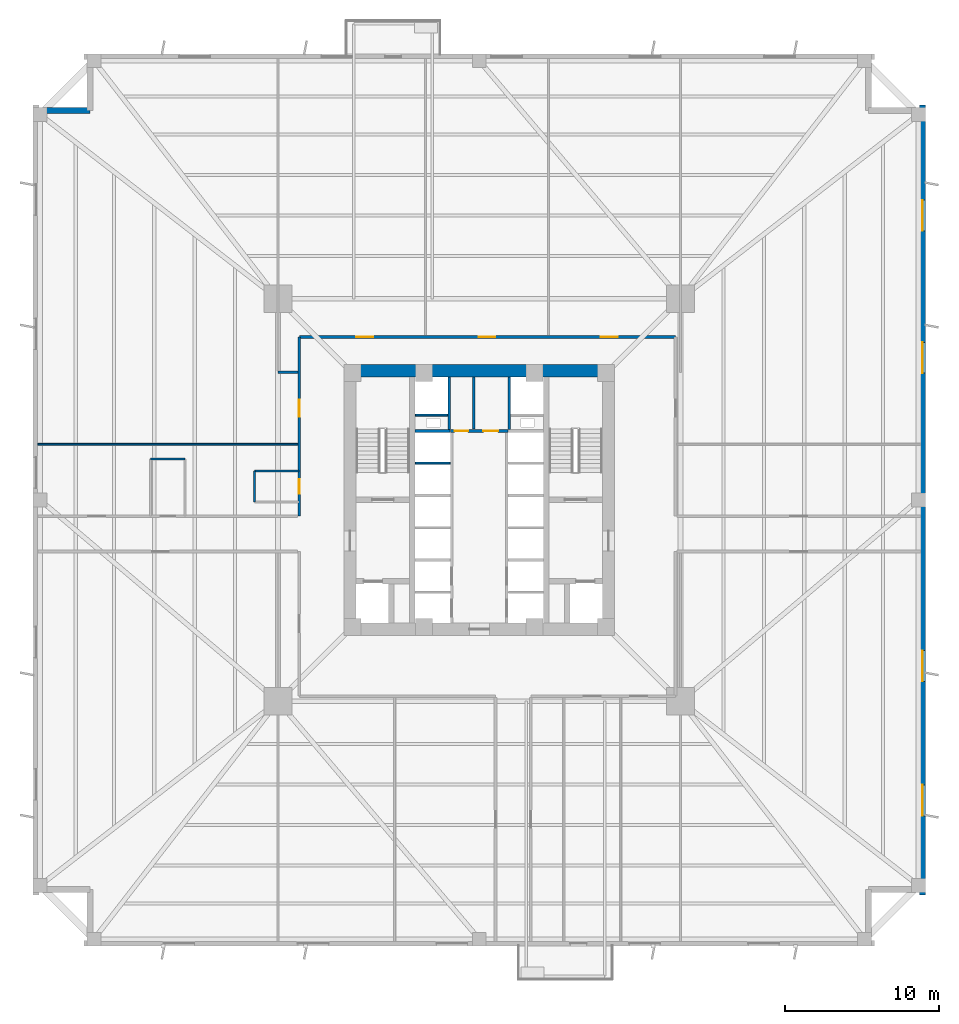
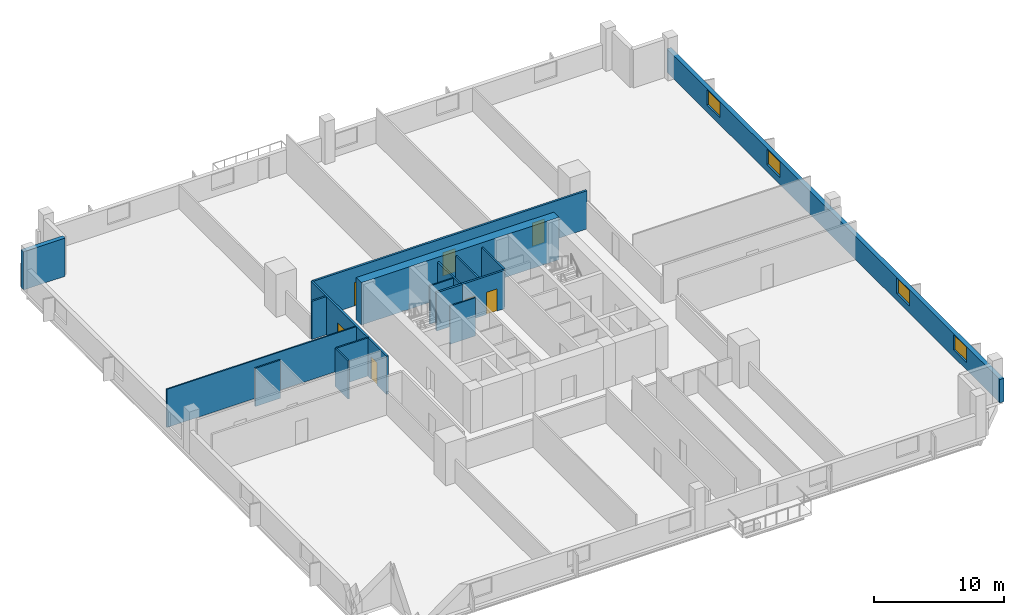
# One storey, part 4 of 8: 17 walls, 7 doors, 4 windows, 11 openings.
"""IFC4 building model written with IfcOpenShell, lengths in metres."""

from ifc_helpers import new_model, si_unit, direction, frame, frame_2d, origin, place, context, subcontext, project, spatial, rectangle, extrude, source, transform, mapped, material, layer, layer_set, type_object, element, fill, save


model = new_model("IFC4")

# Units and contexts
model_context = context("Model", 3, precision=1e-05, world=origin(), true_north=direction((0.0, 1.0)))
body_context = subcontext(model_context, "Body", "Model", "MODEL_VIEW")
ifc_project = project(units=[si_unit("LENGTHUNIT", "METRE"), si_unit("AREAUNIT", "SQUARE_METRE"), si_unit("VOLUMEUNIT", "CUBIC_METRE"), si_unit("PLANEANGLEUNIT", "RADIAN"), si_unit("MASSUNIT", "GRAM", prefix="KILO"), si_unit("THERMODYNAMICTEMPERATUREUNIT", "KELVIN")], contexts=[model_context])

# Site, building, storey
site_placement = place(None, origin())
site = spatial("IfcSite", under=ifc_project, at=site_placement, CompositionType="ELEMENT")
building_placement = place(site_placement, origin())
building = spatial("IfcBuilding", under=site, at=building_placement, Name="Kosmvard Interchange Tower", CompositionType="ELEMENT")
storey_placement = place(building_placement, frame((0.0, 0.0, 74.0)))
storey = spatial("IfcBuildingStorey", under=building, at=storey_placement, Name="L17", CompositionType="ELEMENT", Elevation=74.0)

# Walls
ifc_material_1 = material(Name="Acoustic gypsum partition system")
ifc_layer_1 = layer(ifc_material_1, 0.14990234375, Name="Acoustic gypsum partition system")
ifc_layer_set_1 = layer_set([ifc_layer_1], Name="Acoustic gypsum partition system")
wall_type_1 = type_object("IfcWallType", Name="Acoustic Suite & Meeting Partition 150", PredefinedType="PARTITIONING", material=ifc_layer_set_1)
wall_1_placement = place(storey_placement, frame((-11.794921875, 8.300048828125, 0.0), z_axis=(0.0, 0.0, 1.0), x_axis=(-1.0, 0.0, 0.0)))
element("IfcWall", 1, at=wall_1_placement, inside=storey, type_object=wall_type_1, Name="L17 Room Partition 01.1", PredefinedType="PARTITIONING", context=body_context, shape_type="SweptSolid", body=[
    extrude(rectangle(XDim=1.2861328125, YDim=0.14990234375, at=frame_2d((0.64306640625, 0.0))), origin(), (0.0, 0.0, 1.0), 3.60009765625),
])
ifc_material_2 = material(Name="Fire-rated gypsum partition system")
ifc_layer_2 = layer(ifc_material_2, 0.159912109375, Name="Fire-rated gypsum partition system")
ifc_layer_set_2 = layer_set([ifc_layer_2], Name="Fire-rated gypsum partition system")
wall_type_2 = type_object("IfcWallType", Name="Core Compartment & Shuttle Lobby Partition 160", PredefinedType="PARTITIONING", material=ifc_layer_set_2)
for number, where, z_axis, x_axis, name in (
    (2, (-1.9599609375, 4.580078125, 0.0), (0.0, 0.0, 1.0), (0.0, 1.0, 0.0), "L17 North Core West Wall"),
    (3, (1.9599609375, 4.580078125, 0.0), (0.0, 0.0, 1.0), (0.0, 1.0, 0.0), "L17 North Core East Wall"),
):
    element("IfcWall", number, at=place(storey_placement, frame(where, z_axis=z_axis, x_axis=x_axis)), inside=storey, type_object=wall_type_2, Name=name, PredefinedType="PARTITIONING", context=body_context, shape_type="SweptSolid", body=[
        extrude(rectangle(XDim=3.39990234375, YDim=0.159912109375, at=frame_2d((1.699951171875, 0.0))), origin(), (0.0, 0.0, 1.0), 3.60009765625),
    ])
ifc_material_3 = material(Name="Concrete blockwork masonry", Category="masonry")
ifc_layer_3 = layer(ifc_material_3, 0.159912109375, Name="Concrete blockwork masonry")
ifc_layer_set_3 = layer_set([ifc_layer_3], Name="Concrete blockwork masonry")
wall_type_3 = type_object("IfcWallType", Name="Core Enclosure Split Wall 160", PredefinedType="PARTITIONING", material=ifc_layer_set_3)
wall_2_placement = place(storey_placement, frame((-0.35009765625, 4.60009765625, 0.0), z_axis=(0.0, 0.0, 1.0), x_axis=(0.0, 1.0, 0.0)))
element("IfcWall", 4, at=wall_2_placement, inside=storey, type_object=wall_type_3, Name="L17 Core K2 Split Wall", PredefinedType="PARTITIONING", context=body_context, shape_type="SweptSolid", body=[
    extrude(rectangle(XDim=3.3798828125, YDim=0.159912109375, at=frame_2d((1.68994140625, 0.0))), origin(), (0.0, 0.0, 1.0), 3.60009765625),
])

# Wall, openings, doors
ifc_layer_4 = layer(ifc_material_2, 0.179931640625, Name="Fire-rated gypsum partition system")
ifc_layer_set_4 = layer_set([ifc_layer_4], Name="Fire-rated gypsum partition system")
wall_type_4 = type_object("IfcWallType", Name="Corridor & Hotel Compartment Partition 180", PredefinedType="PARTITIONING", material=ifc_layer_set_4)
wall_3_placement = place(storey_placement, frame((-1.8798828125, 4.489990234375, 0.0), z_axis=(0.0, 0.0, 1.0), x_axis=(1.0, 0.0, 0.0)))
wall_3 = element("IfcWall", 5, at=wall_3_placement, inside=storey, type_object=wall_type_4, Name="L17 Lift Lobby North Partition", PredefinedType="PARTITIONING", context=body_context, shape_type="SweptSolid", body=[
    extrude(rectangle(XDim=3.759765625, YDim=0.179931640625, at=frame_2d((1.8798828125, 0.0))), origin(), (0.0, 0.0, 1.0), 3.60009765625),
])
opening_1_placement = place(wall_3_placement, frame((0.280029296875, 0.0, 0.0)))
opening_1 = element("IfcOpeningElement", 6, at=opening_1_placement, cuts=wall_3, Name="Opening L17-KD1", PredefinedType="OPENING", context=body_context, shape_type="SweptSolid", body=[
    extrude(rectangle(XDim=0.8798828125, YDim=2.10009765625, at=frame_2d((0.43994140625, 1.050048828125))), frame((0.0, 0.10009765625, 0.0), z_axis=(0.0, -1.0, 0.0), x_axis=(1.0, 0.0, 0.0)), (0.0, 0.0, 1.0), 0.199951171875),
])
opening_2_placement = place(wall_3_placement, frame((2.14990234375, 0.0, 0.0)))
opening_2 = element("IfcOpeningElement", 7, at=opening_2_placement, cuts=wall_3, Name="Opening L17-KD2", PredefinedType="OPENING", context=body_context, shape_type="SweptSolid", body=[
    extrude(rectangle(XDim=0.949951171875, YDim=2.10009765625, at=frame_2d((0.47509765625, 1.050048828125))), frame((0.0, 0.10009765625, 0.0), z_axis=(0.0, -1.0, 0.0), x_axis=(1.0, 0.0, 0.0)), (0.0, 0.0, 1.0), 0.199951171875),
])
ifc_material_4 = material(Name="Painted fire-rated timber leaf", Category="wood")
door_type_1 = type_object("IfcDoorType", Name="Core Service Fire Door 950x2100 EI30", OperationType="NOTDEFINED", PredefinedType="DOOR", material=ifc_material_4)
shared_shape_1 = source(origin(), body_context, "Body", "SweptSolid", [
    extrude(rectangle(XDim=0.949951171875, YDim=2.10009765625, at=frame_2d((0.47509765625, 1.050048828125))), frame((0.0, 0.02490234375, 0.0), z_axis=(0.0, -1.0, 0.0), x_axis=(1.0, 0.0, 0.0)), (0.0, 0.0, 1.0), 0.050048828125),
])
door_1_placement = place(opening_2_placement, origin())
door_1 = element("IfcDoor", 8, at=door_1_placement, inside=storey, type_object=door_type_1, Name="L17 Core Tea Pantry Door", OperationType="SINGLE_SWING_RIGHT", OverallHeight=2.10009765625, OverallWidth=0.949951171875, PredefinedType="DOOR", context=body_context, shape_type="MappedRepresentation", body=[
    mapped(shared_shape_1, transform((0.0, 0.0, 0.0), scale=1.0)),
])
fill(opening_2, door_1)
door_type_2 = type_object("IfcDoorType", Name="Core Cupboard Fire Door 880x2100 EI30", OperationType="NOTDEFINED", PredefinedType="DOOR", material=ifc_material_4)
shared_shape_2 = source(origin(), body_context, "Body", "SweptSolid", [
    extrude(rectangle(XDim=0.8798828125, YDim=2.10009765625, at=frame_2d((0.43994140625, 1.050048828125))), frame((0.0, 0.02490234375, 0.0), z_axis=(0.0, -1.0, 0.0), x_axis=(1.0, 0.0, 0.0)), (0.0, 0.0, 1.0), 0.050048828125),
])
door_2_placement = place(opening_1_placement, origin())
door_2 = element("IfcDoor", 9, at=door_2_placement, inside=storey, type_object=door_type_2, Name="L17 Core Cleaner Cupboard Door", OperationType="SINGLE_SWING_LEFT", OverallHeight=2.10009765625, OverallWidth=0.8798828125, PredefinedType="DOOR", context=body_context, shape_type="MappedRepresentation", body=[
    mapped(shared_shape_2, transform((0.0, 0.0, 0.0), scale=1.0)),
])
fill(opening_1, door_2)

wall_4_placement = place(storey_placement, frame((-11.699951171875, 10.60009765625, 0.0), z_axis=(0.0, 0.0, 1.0), x_axis=(1.0, 0.0, 0.0)))
wall_4 = element("IfcWall", 10, at=wall_4_placement, inside=storey, type_object=wall_type_4, Name="L17 Corridor Wall CN", PredefinedType="PARTITIONING", context=body_context, shape_type="SweptSolid", body=[
    extrude(rectangle(XDim=24.449951171875, YDim=0.179931640625, at=frame_2d((12.22509765625, 0.0))), origin(), (0.0, 0.0, 1.0), 3.60009765625),
])
opening_3_placement = place(wall_4_placement, frame((3.71435546875, 0.0, 0.0)))
opening_3 = element("IfcOpeningElement", 11, at=opening_3_placement, cuts=wall_4, Name="Opening L17-D05", PredefinedType="OPENING", context=body_context, shape_type="SweptSolid", body=[
    extrude(rectangle(XDim=1.10009765625, YDim=2.199951171875, at=frame_2d((0.550048828125, 1.10009765625))), frame((0.0, 0.10009765625, 0.0), z_axis=(0.0, -1.0, 0.0), x_axis=(1.0, 0.0, 0.0)), (0.0, 0.0, 1.0), 0.199951171875),
])
opening_4_placement = place(wall_4_placement, frame((11.64990234375, 0.0, 0.0)))
opening_4 = element("IfcOpeningElement", 12, at=opening_4_placement, cuts=wall_4, Name="Opening L17-D06", PredefinedType="OPENING", context=body_context, shape_type="SweptSolid", body=[
    extrude(rectangle(XDim=1.10009765625, YDim=2.199951171875, at=frame_2d((0.550048828125, 1.10009765625))), frame((0.0, 0.10009765625, 0.0), z_axis=(0.0, -1.0, 0.0), x_axis=(1.0, 0.0, 0.0)), (0.0, 0.0, 1.0), 0.199951171875),
])
opening_5_placement = place(wall_4_placement, frame((19.610595703125, 0.0, 0.0)))
opening_5 = element("IfcOpeningElement", 13, at=opening_5_placement, cuts=wall_4, Name="Opening L17-D07", PredefinedType="OPENING", context=body_context, shape_type="SweptSolid", body=[
    extrude(rectangle(XDim=1.10009765625, YDim=2.199951171875, at=frame_2d((0.550048828125, 1.10009765625))), frame((0.0, 0.10009765625, 0.0), z_axis=(0.0, -1.0, 0.0), x_axis=(1.0, 0.0, 0.0)), (0.0, 0.0, 1.0), 0.199951171875),
])
ifc_material_5 = material(Name="Engineered oak fire-rated timber", Category="wood")
door_type_3 = type_object("IfcDoorType", Name="Office Suite Entrance Door 1100x2200 FD30S", OperationType="NOTDEFINED", PredefinedType="DOOR", material=ifc_material_5)
shared_shape_3 = source(origin(), body_context, "Body", "SweptSolid", [
    extrude(rectangle(XDim=1.10009765625, YDim=2.199951171875, at=frame_2d((0.550048828125, 1.10009765625))), frame((0.0, 0.02490234375, 0.0), z_axis=(0.0, -1.0, 0.0), x_axis=(1.0, 0.0, 0.0)), (0.0, 0.0, 1.0), 0.050048828125),
])
door_3_placement = place(opening_3_placement, origin())
door_3 = element("IfcDoor", 14, at=door_3_placement, inside=storey, type_object=door_type_3, Name="L17 Staff Fitness Gym Door", OperationType="SINGLE_SWING_LEFT", OverallHeight=2.199951171875, OverallWidth=1.10009765625, PredefinedType="DOOR", context=body_context, shape_type="MappedRepresentation", body=[
    mapped(shared_shape_3, transform((0.0, 0.0, 0.0), scale=1.0)),
])
fill(opening_3, door_3)
door_4_placement = place(opening_4_placement, origin())
door_4 = element("IfcDoor", 15, at=door_4_placement, inside=storey, type_object=door_type_3, Name="L17 Transit Heritage Library Door", OperationType="SINGLE_SWING_RIGHT", OverallHeight=2.199951171875, OverallWidth=1.10009765625, PredefinedType="DOOR", context=body_context, shape_type="MappedRepresentation", body=[
    mapped(shared_shape_3, transform((0.0, 0.0, 0.0), scale=1.0)),
])
fill(opening_4, door_4)
door_5_placement = place(opening_5_placement, origin())
door_5 = element("IfcDoor", 16, at=door_5_placement, inside=storey, type_object=door_type_3, Name="L17 Staff Bistro Cafe Door", OperationType="SINGLE_SWING_LEFT", OverallHeight=2.199951171875, OverallWidth=1.10009765625, PredefinedType="DOOR", context=body_context, shape_type="MappedRepresentation", body=[
    mapped(shared_shape_3, transform((0.0, 0.0, 0.0), scale=1.0)),
])
fill(opening_5, door_5)

wall_5_placement = place(storey_placement, frame((-11.699951171875, -1.050048828125, 0.0), z_axis=(0.0, 0.0, 1.0), x_axis=(0.0, 1.0, 0.0)))
wall_5 = element("IfcWall", 17, at=wall_5_placement, inside=storey, type_object=wall_type_4, Name="L17 Corridor Wall CWN", PredefinedType="PARTITIONING", context=body_context, shape_type="SweptSolid", body=[
    extrude(rectangle(XDim=11.650146484375, YDim=0.179931640625, at=frame_2d((5.8251953125, 0.0))), origin(), (0.0, 0.0, 1.0), 3.60009765625),
])
opening_6_placement = place(wall_5_placement, frame((1.455078125, 0.0, 0.0)))
opening_6 = element("IfcOpeningElement", 18, at=opening_6_placement, cuts=wall_5, Name="Opening L17-D01", PredefinedType="OPENING", context=body_context, shape_type="SweptSolid", body=[
    extrude(rectangle(XDim=0.949951171875, YDim=2.10009765625, at=frame_2d((0.47509765625, 1.050048828125))), frame((0.0, 0.10009765625, 0.0), z_axis=(0.0, -1.0, 0.0), x_axis=(1.0, 0.0, 0.0)), (0.0, 0.0, 1.0), 0.199951171875),
])
opening_7_placement = place(wall_5_placement, frame((6.46240234375, 0.0, 0.0)))
opening_7 = element("IfcOpeningElement", 19, at=opening_7_placement, cuts=wall_5, Name="Opening L17-D04", PredefinedType="OPENING", context=body_context, shape_type="SweptSolid", body=[
    extrude(rectangle(XDim=1.10009765625, YDim=2.199951171875, at=frame_2d((0.550048828125, 1.10009765625))), frame((0.0, 0.10009765625, 0.0), z_axis=(0.0, -1.0, 0.0), x_axis=(1.0, 0.0, 0.0)), (0.0, 0.0, 1.0), 0.199951171875),
])
ifc_material_6 = material(Name="Laminated moisture-resistant timber", Category="wood")
door_type_4 = type_object("IfcDoorType", Name="Accessible Washroom Door 950x2100", OperationType="NOTDEFINED", PredefinedType="DOOR", material=ifc_material_6)
door_6_placement = place(opening_6_placement, origin())
door_6 = element("IfcDoor", 20, at=door_6_placement, inside=storey, type_object=door_type_4, Name="L17 Accessible Toilet Door", OperationType="SINGLE_SWING_LEFT", OverallHeight=2.10009765625, OverallWidth=0.949951171875, PredefinedType="DOOR", context=body_context, shape_type="MappedRepresentation", body=[
    mapped(shared_shape_1, transform((0.0, 0.0, 0.0), scale=1.0)),
])
fill(opening_6, door_6)
door_7_placement = place(opening_7_placement, origin())
door_7 = element("IfcDoor", 21, at=door_7_placement, inside=storey, type_object=door_type_3, Name="L17 West Health Advisory Office Door", OperationType="SINGLE_SWING_RIGHT", OverallHeight=2.199951171875, OverallWidth=1.10009765625, PredefinedType="DOOR", context=body_context, shape_type="MappedRepresentation", body=[
    mapped(shared_shape_3, transform((0.0, 0.0, 0.0), scale=1.0)),
])
fill(opening_7, door_7)

# Wall
ifc_material_7 = material(Name="Concrete C80/95", Category="concrete")
ifc_layer_5 = layer(ifc_material_7, 0.800048828125, Name="Concrete C80/95")
ifc_layer_set_5 = layer_set([ifc_layer_5], Name="Concrete C80/95")
wall_type_5 = type_object("IfcWallType", Name="Lower Core Shear Wall 800 C80/95", PredefinedType="SHEAR", material=ifc_layer_set_5)
wall_6_placement = place(storey_placement, frame((-8.800048828125, 8.39990234375, 0.0), z_axis=(0.0, 0.0, 1.0), x_axis=(1.0, 0.0, 0.0)))
element("IfcWall", 22, at=wall_6_placement, inside=storey, type_object=wall_type_5, Name="L17 Core Shear Wall CW-N", PredefinedType="SHEAR", context=body_context, shape_type="SweptSolid", body=[
    extrude(rectangle(XDim=17.60009765625, YDim=0.800048828125, at=frame_2d((8.800048828125, 0.0))), origin(), (0.0, 0.0, 1.0), 4.0),
])

# Wall, openings, windows
ifc_material_8 = material(Name="Precast concrete C45/55", Category="concrete")
ifc_layer_6 = layer(ifc_material_8, 0.3798828125, Name="Precast concrete C45/55")
ifc_layer_set_6 = layer_set([ifc_layer_6], Name="Precast concrete C45/55")
wall_type_6 = type_object("IfcWallType", Name="Lower Tower Precast Pier Wall 380 C45/55", PredefinedType="STANDARD", material=ifc_layer_set_6)
wall_7_placement = place(storey_placement, frame((28.81005859375, -25.68994140625, 0.0), z_axis=(0.0, 0.0, 1.0), x_axis=(0.0, 1.0, 0.0)))
wall_7 = element("IfcWall", 23, at=wall_7_placement, inside=storey, type_object=wall_type_6, Name="L17 Precast Facade Wall F-E", PredefinedType="STANDARD", context=body_context, shape_type="SweptSolid", body=[
    extrude(rectangle(XDim=51.3798828125, YDim=0.3798828125, at=frame_2d((25.68994140625, 0.0))), origin(), (0.0, 0.0, 1.0), 2.199951171875),
])
opening_8_placement = place(wall_7_placement, frame((5.16552734375, 0.0, 0.669921875)))
opening_8 = element("IfcOpeningElement", 24, at=opening_8_placement, cuts=wall_7, Name="Opening L17-W06", PredefinedType="OPENING", context=body_context, shape_type="SweptSolid", body=[
    extrude(rectangle(XDim=2.0, YDim=1.449951171875, at=frame_2d((1.0, 0.72509765625))), frame((0.0, 0.199951171875, 0.0), z_axis=(0.0, -1.0, 0.0), x_axis=(1.0, 0.0, 0.0)), (0.0, 0.0, 1.0), 0.39990234375),
])
opening_9_placement = place(wall_7_placement, frame((13.900146484375, 0.0, 0.669921875)))
opening_9 = element("IfcOpeningElement", 25, at=opening_9_placement, cuts=wall_7, Name="Opening L17-W07", PredefinedType="OPENING", context=body_context, shape_type="SweptSolid", body=[
    extrude(rectangle(XDim=2.0, YDim=1.449951171875, at=frame_2d((1.0, 0.72509765625))), frame((0.0, 0.199951171875, 0.0), z_axis=(0.0, -1.0, 0.0), x_axis=(1.0, 0.0, 0.0)), (0.0, 0.0, 1.0), 0.39990234375),
])
opening_10_placement = place(wall_7_placement, frame((33.9384765625, 0.0, 0.669921875)))
opening_10 = element("IfcOpeningElement", 26, at=opening_10_placement, cuts=wall_7, Name="Opening L17-W08", PredefinedType="OPENING", context=body_context, shape_type="SweptSolid", body=[
    extrude(rectangle(XDim=2.0, YDim=1.449951171875, at=frame_2d((1.0, 0.72509765625))), frame((0.0, 0.199951171875, 0.0), z_axis=(0.0, -1.0, 0.0), x_axis=(1.0, 0.0, 0.0)), (0.0, 0.0, 1.0), 0.39990234375),
])
opening_11_placement = place(wall_7_placement, frame((43.186767578125, 0.0, 0.669921875)))
opening_11 = element("IfcOpeningElement", 27, at=opening_11_placement, cuts=wall_7, Name="Opening L17-W09", PredefinedType="OPENING", context=body_context, shape_type="SweptSolid", body=[
    extrude(rectangle(XDim=2.0, YDim=1.449951171875, at=frame_2d((1.0, 0.72509765625))), frame((0.0, 0.199951171875, 0.0), z_axis=(0.0, -1.0, 0.0), x_axis=(1.0, 0.0, 0.0)), (0.0, 0.0, 1.0), 0.39990234375),
])
ifc_material_9 = material(Name="Low-E solar-control double glazing", Category="glass")
window_type = type_object("IfcWindowType", Name="Transfer Zone Punched Window 2000x1450", PartitioningType="SINGLE_PANEL", PredefinedType="WINDOW", material=ifc_material_9)
shared_shape_4 = source(origin(), body_context, "Body", "SweptSolid", [
    extrude(rectangle(XDim=2.0, YDim=1.449951171875, at=frame_2d((1.0, 0.72509765625))), frame((0.0, 0.030029296875, 0.0), z_axis=(0.0, -1.0, 0.0), x_axis=(1.0, 0.0, 0.0)), (0.0, 0.0, 1.0), 0.06005859375),
])
window_1_placement = place(opening_8_placement, origin())
window_1 = element("IfcWindow", 28, at=window_1_placement, inside=storey, type_object=window_type, Name="L17 Facade Punched Window 06", OverallHeight=1.449951171875, OverallWidth=2.0, PartitioningType="SINGLE_PANEL", PredefinedType="WINDOW", context=body_context, shape_type="MappedRepresentation", body=[
    mapped(shared_shape_4, transform((0.0, 0.0, 0.0), scale=1.0)),
])
fill(opening_8, window_1)
window_2_placement = place(opening_9_placement, origin())
window_2 = element("IfcWindow", 29, at=window_2_placement, inside=storey, type_object=window_type, Name="L17 Facade Punched Window 07", OverallHeight=1.449951171875, OverallWidth=2.0, PartitioningType="SINGLE_PANEL", PredefinedType="WINDOW", context=body_context, shape_type="MappedRepresentation", body=[
    mapped(shared_shape_4, transform((0.0, 0.0, 0.0), scale=1.0)),
])
fill(opening_9, window_2)
window_3_placement = place(opening_10_placement, origin())
window_3 = element("IfcWindow", 30, at=window_3_placement, inside=storey, type_object=window_type, Name="L17 Facade Punched Window 08", OverallHeight=1.449951171875, OverallWidth=2.0, PartitioningType="SINGLE_PANEL", PredefinedType="WINDOW", context=body_context, shape_type="MappedRepresentation", body=[
    mapped(shared_shape_4, transform((0.0, 0.0, 0.0), scale=1.0)),
])
fill(opening_10, window_3)
window_4_placement = place(opening_11_placement, origin())
window_4 = element("IfcWindow", 31, at=window_4_placement, inside=storey, type_object=window_type, Name="L17 Facade Punched Window 09", OverallHeight=1.449951171875, OverallWidth=2.0, PartitioningType="SINGLE_PANEL", PredefinedType="WINDOW", context=body_context, shape_type="MappedRepresentation", body=[
    mapped(shared_shape_4, transform((0.0, 0.0, 0.0), scale=1.0)),
])
fill(opening_11, window_4)

# Walls
wall_8_placement = place(storey_placement, frame((-25.31005859375, 25.31005859375, 0.0), z_axis=(0.0, 0.0, 1.0), x_axis=(-1.0, 0.0, 0.0)))
element("IfcWall", 32, at=wall_8_placement, inside=storey, type_object=wall_type_6, Name="L17 Precast Facade Wall N-NW2", PredefinedType="STANDARD", context=body_context, shape_type="SweptSolid", body=[
    extrude(rectangle(XDim=3.68994140625, YDim=0.3798828125, at=frame_2d((1.844970703125, 0.0))), origin(), (0.0, 0.0, 1.0), 3.60009765625),
])
ifc_material_10 = material(Name="Gypsum board partition system")
ifc_layer_7 = layer(ifc_material_10, 0.1201171875, Name="Gypsum board partition system")
ifc_layer_set_7 = layer_set([ifc_layer_7], Name="Gypsum board partition system")
wall_type_7 = type_object("IfcWallType", Name="Office Cellular Partition 120", PredefinedType="PARTITIONING", material=ifc_layer_set_7)
wall_9_placement = place(storey_placement, frame((-28.68505859375, 3.625, 0.0), z_axis=(0.0, 0.0, 1.0), x_axis=(1.0, 0.0, 0.0)))
element("IfcWall", 33, at=wall_9_placement, inside=storey, type_object=wall_type_7, Name="L17 Room Partition 07.1", PredefinedType="PARTITIONING", context=body_context, shape_type="SweptSolid", body=[
    extrude(rectangle(XDim=16.89013671875, YDim=0.1201171875, at=frame_2d((8.445068359375, 0.0))), origin(), (0.0, 0.0, 1.0), 3.60009765625),
])
ifc_layer_8 = layer(ifc_material_3, 0.179931640625, Name="Concrete blockwork masonry")
ifc_layer_set_8 = layer_set([ifc_layer_8], Name="Concrete blockwork masonry")
wall_type_8 = type_object("IfcWallType", Name="Riser & Lift Bank Divider Wall 180", PredefinedType="PARTITIONING", material=ifc_layer_set_8)
wall_10_placement = place(storey_placement, frame((-4.169921875, 4.489990234375, 0.0), z_axis=(0.0, 0.0, 1.0), x_axis=(1.0, 0.0, 0.0)))
element("IfcWall", 34, at=wall_10_placement, inside=storey, type_object=wall_type_8, Name="L17 West Bank Divider BD3", PredefinedType="PARTITIONING", context=body_context, shape_type="SweptSolid", body=[
    extrude(rectangle(XDim=2.280029296875, YDim=0.179931640625, at=frame_2d((1.14013671875, 0.0))), origin(), (0.0, 0.0, 1.0), 3.60009765625),
])
ifc_material_11 = material(Name="Fire-rated gypsum shaftwall system")
ifc_layer_9 = layer(ifc_material_11, 0.1201171875, Name="Fire-rated gypsum shaftwall system")
ifc_layer_set_9 = layer_set([ifc_layer_9], Name="Fire-rated gypsum shaftwall system")
wall_type_9 = type_object("IfcWallType", Name="Shaft & Riser Fire Partition 120 EI60", PredefinedType="PARTITIONING", material=ifc_layer_set_9)
wall_11_placement = place(storey_placement, frame((-4.159912109375, 2.39990234375, 0.0), z_axis=(0.0, 0.0, 1.0), x_axis=(1.0, 0.0, 0.0)))
element("IfcWall", 35, at=wall_11_placement, inside=storey, type_object=wall_type_9, Name="L17 Shaft Divider PL-H1", PredefinedType="PARTITIONING", context=body_context, shape_type="SweptSolid", body=[
    extrude(rectangle(XDim=2.260009765625, YDim=0.1201171875, at=frame_2d((1.1298828125, 0.0))), origin(), (0.0, 0.0, 1.0), 3.60009765625),
])
wall_12_placement = place(storey_placement, frame((-4.159912109375, 5.52001953125, 0.0), z_axis=(0.0, 0.0, 1.0), x_axis=(1.0, 0.0, 0.0)))
element("IfcWall", 36, at=wall_12_placement, inside=storey, type_object=wall_type_9, Name="L17 Riser Shaft Divider W", PredefinedType="PARTITIONING", context=body_context, shape_type="SweptSolid", body=[
    extrude(rectangle(XDim=2.099853515625, YDim=0.1201171875, at=frame_2d((1.0498046875, 0.0))), origin(), (0.0, 0.0, 1.0), 3.60009765625),
])
ifc_material_12 = material(Name="Moisture-resistant gypsum partition")
ifc_layer_10 = layer(ifc_material_12, 0.135009765625, Name="Moisture-resistant gypsum partition")
ifc_layer_set_10 = layer_set([ifc_layer_10], Name="Moisture-resistant gypsum partition")
wall_type_10 = type_object("IfcWallType", Name="Wet Room Moisture-Resistant Partition 135", PredefinedType="PARTITIONING", material=ifc_layer_set_10)
wall_13_placement = place(storey_placement, frame((-14.6201171875, 1.8798828125, 0.0), z_axis=(0.0, 0.0, 1.0), x_axis=(1.0, 0.0, 0.0)))
element("IfcWall", 37, at=wall_13_placement, inside=storey, type_object=wall_type_10, Name="L17 Washroom Partition AWC1-N", PredefinedType="PARTITIONING", context=body_context, shape_type="SweptSolid", body=[
    extrude(rectangle(XDim=2.900146484375, YDim=0.135009765625, at=frame_2d((1.4501953125, 0.0))), origin(), (0.0, 0.0, 1.0), 3.60009765625),
])
wall_14_placement = place(storey_placement, frame((-14.6201171875, -0.1201171875, 0.0), z_axis=(0.0, 0.0, 1.0), x_axis=(0.0, 1.0, 0.0)))
element("IfcWall", 38, at=wall_14_placement, inside=storey, type_object=wall_type_10, Name="L17 Washroom Partition AWC1-W", PredefinedType="PARTITIONING", context=body_context, shape_type="SweptSolid", body=[
    extrude(rectangle(XDim=2.0, YDim=0.135009765625, at=frame_2d((1.0, 0.0))), origin(), (0.0, 0.0, 1.0), 3.60009765625),
])
wall_15_placement = place(storey_placement, frame((-21.367431640625, 2.669921875, 0.0), z_axis=(0.0, 0.0, 1.0), x_axis=(1.0, 0.0, 0.0)))
element("IfcWall", 39, at=wall_15_placement, inside=storey, type_object=wall_type_10, Name="L17 Washroom Partition WC1-N", PredefinedType="PARTITIONING", context=body_context, shape_type="SweptSolid", body=[
    extrude(rectangle(XDim=2.25, YDim=0.135009765625, at=frame_2d((1.125, 0.0))), origin(), (0.0, 0.0, 1.0), 3.60009765625),
])

save(model, "model.ifc")
